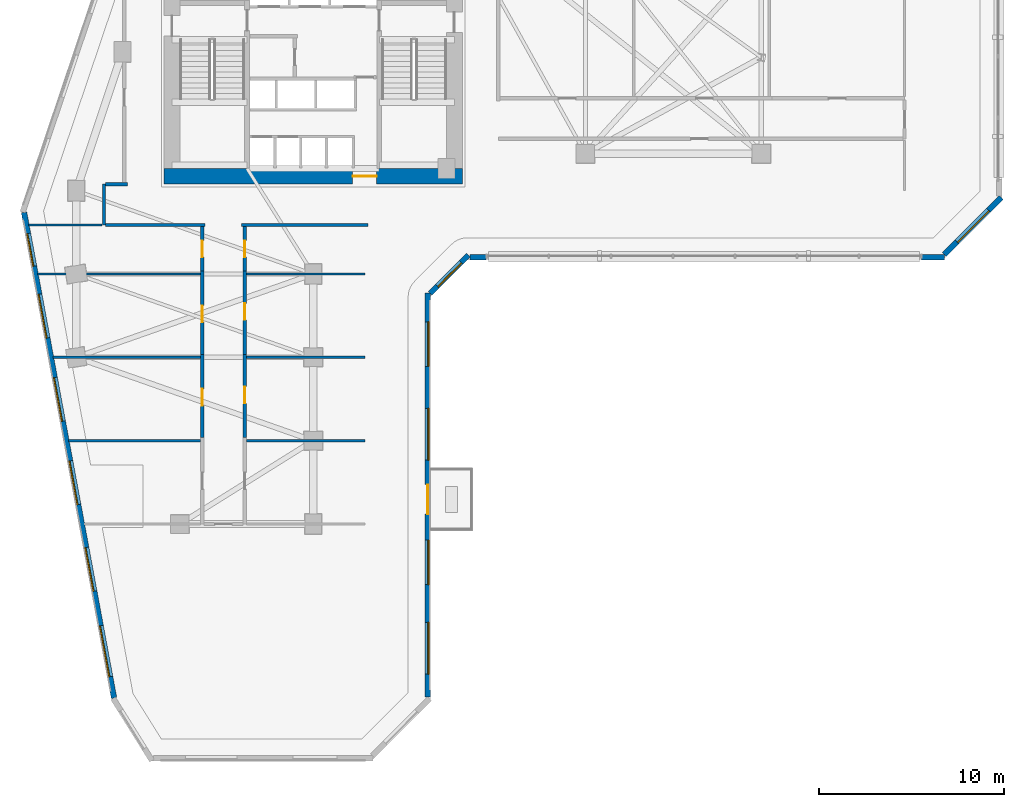
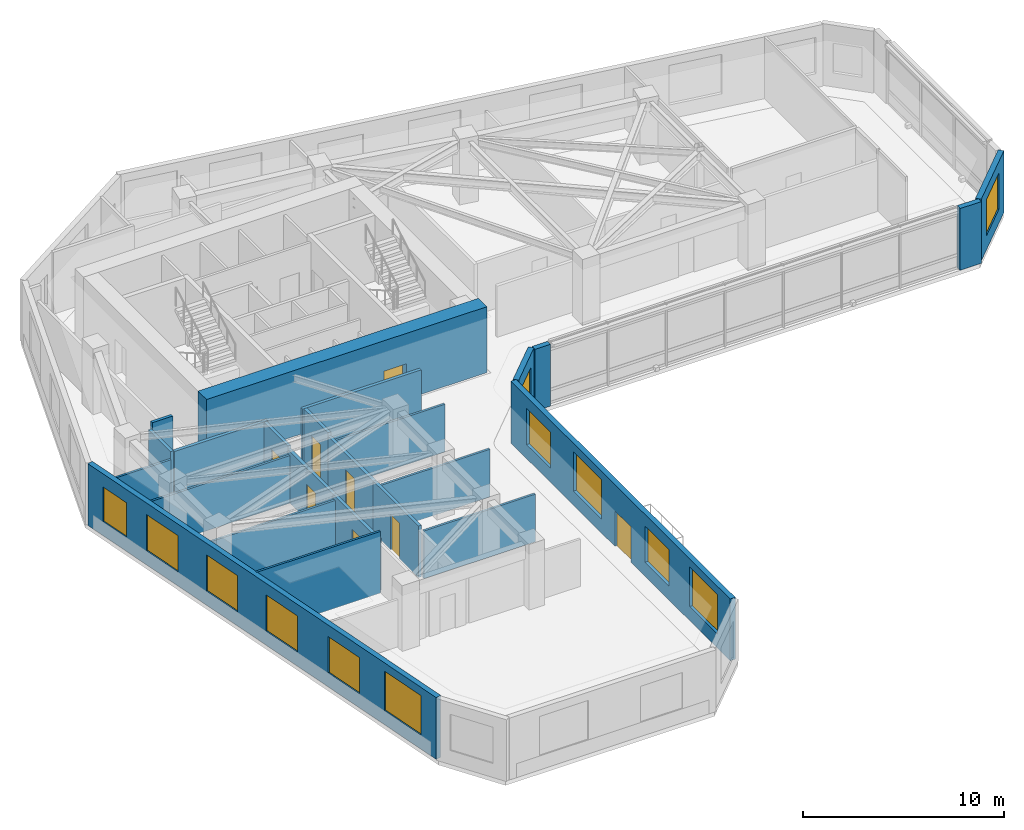
# One storey, part 6 of 12: 24 walls, 12 windows, 8 doors, 20 openings.
"""IFC4 building model written with IfcOpenShell, lengths in metres."""

from ifc_helpers import new_model, si_unit, direction, frame, frame_2d, origin, place, context, subcontext, project, spatial, rectangle, extrude, source, transform, mapped, material, layer, layer_set, type_object, element, fill, save


model = new_model("IFC4")

# Units and contexts
model_context = context("Model", 3, precision=1e-05, world=origin(), true_north=direction((0.0, 1.0)))
body_context = subcontext(model_context, "Body", "Model", "MODEL_VIEW")
ifc_project = project(units=[si_unit("LENGTHUNIT", "METRE"), si_unit("AREAUNIT", "SQUARE_METRE"), si_unit("VOLUMEUNIT", "CUBIC_METRE"), si_unit("PLANEANGLEUNIT", "RADIAN"), si_unit("MASSUNIT", "GRAM", prefix="KILO")], contexts=[model_context])

# Site, building, storey
site_placement = place(None, origin())
site = spatial("IfcSite", under=ifc_project, at=site_placement, CompositionType="ELEMENT")
building_placement = place(site_placement, origin())
building = spatial("IfcBuilding", under=site, at=building_placement, Name="Calvemar Wedge Station Tower", CompositionType="ELEMENT")
storey_placement = place(building_placement, frame((0.0, 0.0, 51.0)))
storey = spatial("IfcBuildingStorey", under=building, at=storey_placement, Name="L12", CompositionType="ELEMENT", Elevation=51.0)

# Wall, opening, door
ifc_material_1 = material(Name="Concrete C80", Category="concrete")
ifc_layer_1 = layer(ifc_material_1, 0.85009765625)
ifc_layer_set_1 = layer_set([ifc_layer_1], Name="Concrete C80")
wall_type_1 = type_object("IfcWallType", Name="SW-CORE-850", PredefinedType="SHEAR", material=ifc_layer_set_1)
wall_1_placement = place(storey_placement, frame((15.75, 33.77490234375, 0.0), z_axis=(0.0, 0.0, 1.0), x_axis=(1.0, 0.0, 0.0)))
wall_1 = element("IfcWall", 1, at=wall_1_placement, inside=storey, type_object=wall_type_1, Name="Storey L12 Core Shear Wall S", PredefinedType="SHEAR", context=body_context, shape_type="SweptSolid", body=[
    extrude(rectangle(XDim=16.10009765625, YDim=0.85009765625, at=frame_2d((8.050048828125, 0.0))), origin(), (0.0, 0.0, 1.0), 4.0),
])
shared_shape_1 = source(origin(), body_context, "Body", "SweptSolid", [
    extrude(rectangle(XDim=1.300048828125, YDim=2.14990234375, at=frame_2d((0.64990234375, 1.074951171875))), frame((0.0, 0.43505859375, 0.0), z_axis=(0.0, -1.0, 0.0), x_axis=(1.0, 0.0, 0.0)), (0.0, 0.0, 1.0), 0.8701171875),
])
opening_1_placement = place(wall_1_placement, frame((10.179931640625, 0.0, 0.0)))
opening_1 = element("IfcOpeningElement", 2, at=opening_1_placement, cuts=wall_1, Name="Opening DD-130", PredefinedType="OPENING", context=body_context, shape_type="MappedRepresentation", body=[
    mapped(shared_shape_1, transform((0.0, 0.0, 0.0), scale=1.0)),
])
ifc_material_2 = material(Name="Double-leaf lift lobby fire door EI 60")
door_type_1 = type_object("IfcDoorType", Name="DR-DBL-1300", OperationType="DOUBLE_DOOR_SINGLE_SWING", PredefinedType="DOOR", material=ifc_material_2)
shared_shape_2 = source(origin(), body_context, "Body", "SweptSolid", [
    extrude(rectangle(XDim=1.300048828125, YDim=2.14990234375, at=frame_2d((0.64990234375, 1.074951171875))), frame((0.0, 0.02490234375, 0.0), z_axis=(0.0, -1.0, 0.0), x_axis=(1.0, 0.0, 0.0)), (0.0, 0.0, 1.0), 0.050048828125),
])
door_1_placement = place(opening_1_placement, origin())
door_1 = element("IfcDoor", 3, at=door_1_placement, inside=storey, type_object=door_type_1, Name="L12 Passenger Lift Lobby Door", OperationType="DOUBLE_DOOR_SINGLE_SWING", OverallHeight=2.14990234375, OverallWidth=1.300048828125, PredefinedType="DOOR", context=body_context, shape_type="MappedRepresentation", body=[
    mapped(shared_shape_2, transform((0.0, 0.0, 0.0), scale=1.0)),
])
fill(opening_1, door_1)

# Walls
ifc_material_3 = material(Name="Double-stud fire-rated corridor partition")
ifc_layer_2 = layer(ifc_material_3, 0.179931640625)
ifc_layer_set_2 = layer_set([ifc_layer_2], Name="Double-stud fire-rated corridor partition")
wall_type_2 = type_object("IfcWallType", Name="W-CORR-180", PredefinedType="PARTITIONING", material=ifc_layer_set_2)
wall_2_placement = place(storey_placement, frame((12.5, 31.14990234375, 0.0), z_axis=(0.0, 0.0, 1.0), x_axis=(0.0, 1.0, 0.0)))
element("IfcWall", 4, at=wall_2_placement, inside=storey, type_object=wall_type_2, Name="Storey L12 Interior Partition WL-L12-004", PredefinedType="PARTITIONING", context=body_context, shape_type="SweptSolid", body=[
    extrude(rectangle(XDim=2.2001953125, YDim=0.179931640625, at=frame_2d((1.10009765625, 0.0))), origin(), (0.0, 0.0, 1.0), 3.3349609375),
])
wall_3_placement = place(storey_placement, frame((12.593994140625, 33.35009765625, 0.0), z_axis=(0.0, 0.0, 1.0), x_axis=(1.0, 0.0, 0.0)))
element("IfcWall", 5, at=wall_3_placement, inside=storey, type_object=wall_type_2, Name="Storey L12 Interior Partition WL-L12-005", PredefinedType="PARTITIONING", context=body_context, shape_type="SweptSolid", body=[
    extrude(rectangle(XDim=1.166015625, YDim=0.179931640625, at=frame_2d((0.5830078125, 0.0))), origin(), (0.0, 0.0, 1.0), 3.75),
])
wall_4_placement = place(storey_placement, frame((17.9599609375, 31.14990234375, 0.0), z_axis=(0.0, 0.0, 1.0), x_axis=(-1.0, 0.0, 0.0)))
element("IfcWall", 6, at=wall_4_placement, inside=storey, type_object=wall_type_2, Name="Storey L12 Interior Partition WL-L12-006", PredefinedType="PARTITIONING", context=body_context, shape_type="SweptSolid", body=[
    extrude(rectangle(XDim=5.365966796875, YDim=0.179931640625, at=frame_2d((2.68310546875, 0.0))), origin(), (0.0, 0.0, 1.0), 3.3349609375),
])
wall_5_placement = place(storey_placement, frame((26.760009765625, 31.14990234375, 0.0), z_axis=(0.0, 0.0, 1.0), x_axis=(-1.0, 0.0, 0.0)))
element("IfcWall", 7, at=wall_5_placement, inside=storey, type_object=wall_type_2, Name="Storey L12 Interior Partition WL-L12-007", PredefinedType="PARTITIONING", context=body_context, shape_type="SweptSolid", body=[
    extrude(rectangle(XDim=6.820068359375, YDim=0.179931640625, at=frame_2d((3.41015625, 0.0))), origin(), (0.0, 0.0, 1.0), 3.3349609375),
])

# Wall, opening, door
wall_6_placement = place(storey_placement, frame((17.800048828125, 19.662109375, 0.0), z_axis=(0.0, 0.0, 1.0), x_axis=(0.0, 1.0, 0.0)))
wall_6 = element("IfcWall", 8, at=wall_6_placement, inside=storey, type_object=wall_type_2, Name="Storey L12 Interior Partition WL-L12-029", PredefinedType="PARTITIONING", context=body_context, shape_type="SweptSolid", body=[
    extrude(rectangle(XDim=4.497802734375, YDim=0.179931640625, at=frame_2d((2.2490234375, 0.0))), origin(), (0.0, 0.0, 1.0), 3.125),
])
shared_shape_3 = source(origin(), body_context, "Body", "SweptSolid", [
    extrude(rectangle(XDim=0.89990234375, YDim=2.14990234375, at=frame_2d((0.449951171875, 1.074951171875))), frame((0.0, 0.10009765625, 0.0), z_axis=(0.0, -1.0, 0.0), x_axis=(1.0, 0.0, 0.0)), (0.0, 0.0, 1.0), 0.199951171875),
])
opening_2_placement = place(wall_6_placement, frame((1.73828125, 0.0, 0.0)))
opening_2 = element("IfcOpeningElement", 9, at=opening_2_placement, cuts=wall_6, Name="Opening D-01", PredefinedType="OPENING", context=body_context, shape_type="MappedRepresentation", body=[
    mapped(shared_shape_3, transform((0.0, 0.0, 0.0), scale=1.0)),
])
ifc_material_4 = material(Name="Architectural hardwood acoustic swing door", Category="wood")
door_type_2 = type_object("IfcDoorType", Name="DR-INT-900", OperationType="NOTDEFINED", PredefinedType="DOOR", material=ifc_material_4)
shared_shape_4 = source(origin(), body_context, "Body", "SweptSolid", [
    extrude(rectangle(XDim=0.89990234375, YDim=2.14990234375, at=frame_2d((0.449951171875, 1.074951171875))), frame((0.0, 0.02490234375, 0.0), z_axis=(0.0, -1.0, 0.0), x_axis=(1.0, 0.0, 0.0)), (0.0, 0.0, 1.0), 0.050048828125),
])
door_2_placement = place(opening_2_placement, origin())
door_2 = element("IfcDoor", 10, at=door_2_placement, inside=storey, type_object=door_type_2, Name="L12 Office Door", OperationType="SINGLE_SWING_RIGHT", OverallHeight=2.14990234375, OverallWidth=0.89990234375, PredefinedType="DOOR", context=body_context, shape_type="MappedRepresentation", body=[
    mapped(shared_shape_4, transform((0.0, 0.0, 0.0), scale=1.0)),
])
fill(opening_2, door_2)

wall_7_placement = place(storey_placement, frame((20.10009765625, 24.159912109375, 0.0), z_axis=(0.0, 0.0, 1.0), x_axis=(0.0, -1.0, 0.0)))
wall_7 = element("IfcWall", 11, at=wall_7_placement, inside=storey, type_object=wall_type_2, Name="Storey L12 Interior Partition WL-L12-030", PredefinedType="PARTITIONING", context=body_context, shape_type="SweptSolid", body=[
    extrude(rectangle(XDim=4.497802734375, YDim=0.179931640625, at=frame_2d((2.2490234375, 0.0))), origin(), (0.0, 0.0, 1.0), 3.125),
])
opening_3_placement = place(wall_7_placement, frame((1.73828125, 0.0, 0.0)))
opening_3 = element("IfcOpeningElement", 12, at=opening_3_placement, cuts=wall_7, Name="Opening D-01", PredefinedType="OPENING", context=body_context, shape_type="MappedRepresentation", body=[
    mapped(shared_shape_3, transform((0.0, 0.0, 0.0), scale=1.0)),
])
door_3_placement = place(opening_3_placement, origin())
door_3 = element("IfcDoor", 13, at=door_3_placement, inside=storey, type_object=door_type_2, Name="L12 Office Door", OperationType="SINGLE_SWING_LEFT", OverallHeight=2.14990234375, OverallWidth=0.89990234375, PredefinedType="DOOR", context=body_context, shape_type="MappedRepresentation", body=[
    mapped(shared_shape_4, transform((0.0, 0.0, 0.0), scale=1.0)),
])
fill(opening_3, door_3)

wall_8_placement = place(storey_placement, frame((17.800048828125, 24.162109375, 0.0), z_axis=(0.0, 0.0, 1.0), x_axis=(0.0, 1.0, 0.0)))
wall_8 = element("IfcWall", 14, at=wall_8_placement, inside=storey, type_object=wall_type_2, Name="Storey L12 Interior Partition WL-L12-031", PredefinedType="PARTITIONING", context=body_context, shape_type="SweptSolid", body=[
    extrude(rectangle(XDim=4.497802734375, YDim=0.179931640625, at=frame_2d((2.2490234375, 0.0))), origin(), (0.0, 0.0, 1.0), 3.125),
])
opening_4_placement = place(wall_8_placement, frame((1.73828125, 0.0, 0.0)))
opening_4 = element("IfcOpeningElement", 15, at=opening_4_placement, cuts=wall_8, Name="Opening D-01", PredefinedType="OPENING", context=body_context, shape_type="MappedRepresentation", body=[
    mapped(shared_shape_3, transform((0.0, 0.0, 0.0), scale=1.0)),
])
door_4_placement = place(opening_4_placement, origin())
door_4 = element("IfcDoor", 16, at=door_4_placement, inside=storey, type_object=door_type_2, Name="L12 Office Door", OperationType="SINGLE_SWING_RIGHT", OverallHeight=2.14990234375, OverallWidth=0.89990234375, PredefinedType="DOOR", context=body_context, shape_type="MappedRepresentation", body=[
    mapped(shared_shape_4, transform((0.0, 0.0, 0.0), scale=1.0)),
])
fill(opening_4, door_4)

wall_9_placement = place(storey_placement, frame((20.10009765625, 28.659912109375, 0.0), z_axis=(0.0, 0.0, 1.0), x_axis=(0.0, -1.0, 0.0)))
wall_9 = element("IfcWall", 17, at=wall_9_placement, inside=storey, type_object=wall_type_2, Name="Storey L12 Interior Partition WL-L12-032", PredefinedType="PARTITIONING", context=body_context, shape_type="SweptSolid", body=[
    extrude(rectangle(XDim=4.497802734375, YDim=0.179931640625, at=frame_2d((2.2490234375, 0.0))), origin(), (0.0, 0.0, 1.0), 3.125),
])
opening_5_placement = place(wall_9_placement, frame((1.73828125, 0.0, 0.0)))
opening_5 = element("IfcOpeningElement", 18, at=opening_5_placement, cuts=wall_9, Name="Opening D-01", PredefinedType="OPENING", context=body_context, shape_type="MappedRepresentation", body=[
    mapped(shared_shape_3, transform((0.0, 0.0, 0.0), scale=1.0)),
])
door_5_placement = place(opening_5_placement, origin())
door_5 = element("IfcDoor", 19, at=door_5_placement, inside=storey, type_object=door_type_2, Name="L12 Office Door", OperationType="SINGLE_SWING_LEFT", OverallHeight=2.14990234375, OverallWidth=0.89990234375, PredefinedType="DOOR", context=body_context, shape_type="MappedRepresentation", body=[
    mapped(shared_shape_4, transform((0.0, 0.0, 0.0), scale=1.0)),
])
fill(opening_5, door_5)

wall_10_placement = place(storey_placement, frame((17.800048828125, 28.662109375, 0.0), z_axis=(0.0, 0.0, 1.0), x_axis=(0.0, 1.0, 0.0)))
wall_10 = element("IfcWall", 20, at=wall_10_placement, inside=storey, type_object=wall_type_2, Name="Storey L12 Interior Partition WL-L12-033", PredefinedType="PARTITIONING", context=body_context, shape_type="SweptSolid", body=[
    extrude(rectangle(XDim=2.393798828125, YDim=0.179931640625, at=frame_2d((1.19677734375, 0.0))), origin(), (0.0, 0.0, 1.0), 3.3349609375),
])
opening_6_placement = place(wall_10_placement, frame((0.7470703125, 0.0, 0.0)))
opening_6 = element("IfcOpeningElement", 21, at=opening_6_placement, cuts=wall_10, Name="Opening D-01", PredefinedType="OPENING", context=body_context, shape_type="MappedRepresentation", body=[
    mapped(shared_shape_3, transform((0.0, 0.0, 0.0), scale=1.0)),
])
door_6_placement = place(opening_6_placement, origin())
door_6 = element("IfcDoor", 22, at=door_6_placement, inside=storey, type_object=door_type_2, Name="L12 Office Door", OperationType="SINGLE_SWING_RIGHT", OverallHeight=2.14990234375, OverallWidth=0.89990234375, PredefinedType="DOOR", context=body_context, shape_type="MappedRepresentation", body=[
    mapped(shared_shape_4, transform((0.0, 0.0, 0.0), scale=1.0)),
])
fill(opening_6, door_6)

wall_11_placement = place(storey_placement, frame((20.10009765625, 31.055908203125, 0.0), z_axis=(0.0, 0.0, 1.0), x_axis=(0.0, -1.0, 0.0)))
wall_11 = element("IfcWall", 23, at=wall_11_placement, inside=storey, type_object=wall_type_2, Name="Storey L12 Interior Partition WL-L12-034", PredefinedType="PARTITIONING", context=body_context, shape_type="SweptSolid", body=[
    extrude(rectangle(XDim=2.393798828125, YDim=0.179931640625, at=frame_2d((1.19677734375, 0.0))), origin(), (0.0, 0.0, 1.0), 3.3349609375),
])
opening_7_placement = place(wall_11_placement, frame((0.7470703125, 0.0, 0.0)))
opening_7 = element("IfcOpeningElement", 24, at=opening_7_placement, cuts=wall_11, Name="Opening D-01", PredefinedType="OPENING", context=body_context, shape_type="MappedRepresentation", body=[
    mapped(shared_shape_3, transform((0.0, 0.0, 0.0), scale=1.0)),
])
door_7_placement = place(opening_7_placement, origin())
door_7 = element("IfcDoor", 25, at=door_7_placement, inside=storey, type_object=door_type_2, Name="L12 Office Door", OperationType="SINGLE_SWING_LEFT", OverallHeight=2.14990234375, OverallWidth=0.89990234375, PredefinedType="DOOR", context=body_context, shape_type="MappedRepresentation", body=[
    mapped(shared_shape_4, transform((0.0, 0.0, 0.0), scale=1.0)),
])
fill(opening_7, door_7)

# Wall, openings, windows, door
ifc_material_5 = material(Name="Precast concrete C45", Category="concrete")
ifc_layer_3 = layer(ifc_material_5, 0.300048828125)
ifc_layer_set_3 = layer_set([ifc_layer_3], Name="Precast concrete C45")
wall_type_3 = type_object("IfcWallType", Name="W-EXT-GFRC-300", PredefinedType="SOLIDWALL", material=ifc_layer_set_3)
wall_12_placement = place(storey_placement, frame((29.97802734375, 5.6572265625, 0.0), z_axis=(0.0, 0.0, 1.0), x_axis=(0.0, 1.0, 0.0)))
wall_12 = element("IfcWall", 26, at=wall_12_placement, inside=storey, type_object=wall_type_3, Name="Storey L12 Bronze GFRC Exterior Wall 4", PredefinedType="SOLIDWALL", context=body_context, shape_type="SweptSolid", body=[
    extrude(rectangle(XDim=21.81494140625, YDim=0.300048828125, at=frame_2d((10.907470703125, 0.0))), origin(), (0.0, 0.0, 1.0), 3.75),
])
shared_shape_5 = source(origin(), body_context, "Body", "SweptSolid", [
    extrude(rectangle(XDim=1.60009765625, YDim=2.14990234375, at=frame_2d((0.800048828125, 1.074951171875))), frame((0.0, 0.16015625, 0.0), z_axis=(0.0, -1.0, 0.0), x_axis=(1.0, 0.0, 0.0)), (0.0, 0.0, 1.0), 0.320068359375),
])
opening_8_placement = place(wall_12_placement, frame((9.873046875, 0.0, 0.0)))
opening_8 = element("IfcOpeningElement", 27, at=opening_8_placement, cuts=wall_12, Name="Opening DT1", PredefinedType="OPENING", context=body_context, shape_type="MappedRepresentation", body=[
    mapped(shared_shape_5, transform((0.0, 0.0, 0.0), scale=1.0)),
])
shared_shape_6 = source(origin(), body_context, "Body", "SweptSolid", [
    extrude(rectangle(XDim=2.800048828125, YDim=2.39990234375, at=frame_2d((1.39990234375, 1.199951171875))), frame((0.0, 0.16015625, 0.0), z_axis=(0.0, -1.0, 0.0), x_axis=(1.0, 0.0, 0.0)), (0.0, 0.0, 1.0), 0.320068359375),
])
opening_9_placement = place(wall_12_placement, frame((1.238037109375, 0.0, 0.85009765625)))
opening_9 = element("IfcOpeningElement", 28, at=opening_9_placement, cuts=wall_12, Name="Opening W6", PredefinedType="OPENING", context=body_context, shape_type="MappedRepresentation", body=[
    mapped(shared_shape_6, transform((0.0, 0.0, 0.0), scale=1.0)),
])
shared_shape_7 = source(origin(), body_context, "Body", "SweptSolid", [
    extrude(rectangle(XDim=2.39990234375, YDim=2.199951171875, at=frame_2d((1.199951171875, 1.10009765625))), frame((0.0, 0.16015625, 0.0), z_axis=(0.0, -1.0, 0.0), x_axis=(1.0, 0.0, 0.0)), (0.0, 0.0, 1.0), 0.320068359375),
])
opening_10_placement = place(wall_12_placement, frame((6.074951171875, 0.0, 0.85009765625)))
opening_10 = element("IfcOpeningElement", 29, at=opening_10_placement, cuts=wall_12, Name="Opening W1", PredefinedType="OPENING", context=body_context, shape_type="MappedRepresentation", body=[
    mapped(shared_shape_7, transform((0.0, 0.0, 0.0), scale=1.0)),
])
opening_11_placement = place(wall_12_placement, frame((12.7880859375, 0.0, 0.85009765625)))
opening_11 = element("IfcOpeningElement", 30, at=opening_11_placement, cuts=wall_12, Name="Opening W6", PredefinedType="OPENING", context=body_context, shape_type="MappedRepresentation", body=[
    mapped(shared_shape_6, transform((0.0, 0.0, 0.0), scale=1.0)),
])
opening_12_placement = place(wall_12_placement, frame((17.85888671875, 0.0, 0.85009765625)))
opening_12 = element("IfcOpeningElement", 31, at=opening_12_placement, cuts=wall_12, Name="Opening W1", PredefinedType="OPENING", context=body_context, shape_type="MappedRepresentation", body=[
    mapped(shared_shape_7, transform((0.0, 0.0, 0.0), scale=1.0)),
])
ifc_material_6 = material(Name="Low-E laminated insulated glass", Category="glass")
window_type_1 = type_object("IfcWindowType", Name="WIN-EXT-6", PartitioningType="SINGLE_PANEL", PredefinedType="WINDOW", material=ifc_material_6)
shared_shape_8 = source(origin(), body_context, "Body", "SweptSolid", [
    extrude(rectangle(XDim=2.800048828125, YDim=2.39990234375, at=frame_2d((1.39990234375, 1.199951171875))), frame((0.0, -0.014892578125, 0.0), z_axis=(0.0, -1.0, 0.0), x_axis=(1.0, 0.0, 0.0)), (0.0, 0.0, 1.0), 0.06005859375),
])
window_1_placement = place(opening_9_placement, origin())
window_1 = element("IfcWindow", 32, at=window_1_placement, inside=storey, type_object=window_type_1, Name="Storey L12 Recessed Window 4.1", OverallHeight=2.39990234375, OverallWidth=2.800048828125, PartitioningType="SINGLE_PANEL", PredefinedType="WINDOW", context=body_context, shape_type="MappedRepresentation", body=[
    mapped(shared_shape_8, transform((0.0, 0.0, 0.0), scale=1.0)),
])
fill(opening_9, window_1)
window_2_placement = place(opening_11_placement, origin())
window_2 = element("IfcWindow", 33, at=window_2_placement, inside=storey, type_object=window_type_1, Name="Storey L12 Recessed Window 4.3", OverallHeight=2.39990234375, OverallWidth=2.800048828125, PartitioningType="SINGLE_PANEL", PredefinedType="WINDOW", context=body_context, shape_type="MappedRepresentation", body=[
    mapped(shared_shape_8, transform((0.0, 0.0, 0.0), scale=1.0)),
])
fill(opening_11, window_2)
window_type_2 = type_object("IfcWindowType", Name="WIN-EXT-1", PartitioningType="SINGLE_PANEL", PredefinedType="WINDOW", material=ifc_material_6)
shared_shape_9 = source(origin(), body_context, "Body", "SweptSolid", [
    extrude(rectangle(XDim=2.39990234375, YDim=2.199951171875, at=frame_2d((1.199951171875, 1.10009765625))), frame((0.0, -0.014892578125, 0.0), z_axis=(0.0, -1.0, 0.0), x_axis=(1.0, 0.0, 0.0)), (0.0, 0.0, 1.0), 0.06005859375),
])
window_3_placement = place(opening_10_placement, origin())
window_3 = element("IfcWindow", 34, at=window_3_placement, inside=storey, type_object=window_type_2, Name="Storey L12 Recessed Window 4.2", OverallHeight=2.199951171875, OverallWidth=2.39990234375, PartitioningType="SINGLE_PANEL", PredefinedType="WINDOW", context=body_context, shape_type="MappedRepresentation", body=[
    mapped(shared_shape_9, transform((0.0, 0.0, 0.0), scale=1.0)),
])
fill(opening_10, window_3)
window_4_placement = place(opening_12_placement, origin())
window_4 = element("IfcWindow", 35, at=window_4_placement, inside=storey, type_object=window_type_2, Name="Storey L12 Recessed Window 4.4", OverallHeight=2.199951171875, OverallWidth=2.39990234375, PartitioningType="SINGLE_PANEL", PredefinedType="WINDOW", context=body_context, shape_type="MappedRepresentation", body=[
    mapped(shared_shape_9, transform((0.0, 0.0, 0.0), scale=1.0)),
])
fill(opening_12, window_4)
ifc_material_7 = material(Name="Anodised aluminium 6063-T6", Category="aluminium")
door_type_3 = type_object("IfcDoorType", Name="DR-TERR-1600", OperationType="DOUBLE_DOOR_SLIDING", PredefinedType="DOOR", material=ifc_material_7)
shared_shape_10 = source(origin(), body_context, "Body", "SweptSolid", [
    extrude(rectangle(XDim=1.60009765625, YDim=2.14990234375, at=frame_2d((0.800048828125, 1.074951171875))), frame((0.0, 0.02490234375, 0.0), z_axis=(0.0, -1.0, 0.0), x_axis=(1.0, 0.0, 0.0)), (0.0, 0.0, 1.0), 0.050048828125),
])
door_8_placement = place(opening_8_placement, origin())
door_8 = element("IfcDoor", 36, at=door_8_placement, inside=storey, type_object=door_type_3, Name="Storey L12 Spiral Terrace Door", OperationType="DOUBLE_DOOR_SLIDING", OverallHeight=2.14990234375, OverallWidth=1.60009765625, PredefinedType="DOOR", context=body_context, shape_type="MappedRepresentation", body=[
    mapped(shared_shape_10, transform((0.0, 0.0, 0.0), scale=1.0)),
])
fill(opening_8, door_8)

# Wall, opening, window
wall_13_placement = place(storey_placement, frame((30.115966796875, 27.460205078125, 0.0), z_axis=(0.0, 0.0, 1.0), x_axis=(0.707106781187, 0.707106781187, 0.0)))
wall_13 = element("IfcWall", 37, at=wall_13_placement, inside=storey, type_object=wall_type_3, Name="Storey L12 Bronze GFRC Exterior Wall 5", PredefinedType="SOLIDWALL", context=body_context, shape_type="SweptSolid", body=[
    extrude(rectangle(XDim=2.907470703125, YDim=0.300048828125, at=frame_2d((1.45361328125, 0.0))), origin(), (0.0, 0.0, 1.0), 3.75),
])
shared_shape_11 = source(origin(), body_context, "Body", "SweptSolid", [
    extrude(rectangle(XDim=1.800048828125, YDim=2.10009765625, at=frame_2d((0.89990234375, 1.050048828125))), frame((0.0, 0.16015625, 0.0), z_axis=(0.0, -1.0, 0.0), x_axis=(1.0, 0.0, 0.0)), (0.0, 0.0, 1.0), 0.320068359375),
])
opening_13_placement = place(wall_13_placement, frame((0.553955078125, 0.0, 0.85009765625)))
opening_13 = element("IfcOpeningElement", 38, at=opening_13_placement, cuts=wall_13, Name="Opening W2", PredefinedType="OPENING", context=body_context, shape_type="MappedRepresentation", body=[
    mapped(shared_shape_11, transform((0.0, 0.0, 0.0), scale=1.0)),
])
window_type_3 = type_object("IfcWindowType", Name="WIN-EXT-2", PartitioningType="SINGLE_PANEL", PredefinedType="WINDOW", material=ifc_material_6)
shared_shape_12 = source(origin(), body_context, "Body", "SweptSolid", [
    extrude(rectangle(XDim=1.800048828125, YDim=2.10009765625, at=frame_2d((0.89990234375, 1.050048828125))), frame((0.0, -0.014892578125, 0.0), z_axis=(0.0, -1.0, 0.0), x_axis=(1.0, 0.0, 0.0)), (0.0, 0.0, 1.0), 0.06005859375),
])
window_5_placement = place(opening_13_placement, origin())
window_5 = element("IfcWindow", 39, at=window_5_placement, inside=storey, type_object=window_type_3, Name="Storey L12 Recessed Window 5.1", OverallHeight=2.10009765625, OverallWidth=1.800048828125, PartitioningType="SINGLE_PANEL", PredefinedType="WINDOW", context=body_context, shape_type="MappedRepresentation", body=[
    mapped(shared_shape_12, transform((0.0, 0.0, 0.0), scale=1.0)),
])
fill(opening_13, window_5)

# Walls
wall_14_placement = place(storey_placement, frame((32.260986328125, 29.409912109375, 0.0), z_axis=(0.0, 0.0, 1.0), x_axis=(1.0, 0.0, 0.0)))
element("IfcWall", 40, at=wall_14_placement, inside=storey, type_object=wall_type_3, Name="Storey L12 Bronze GFRC Corner Pier 6A", PredefinedType="SOLIDWALL", context=body_context, shape_type="SweptSolid", body=[
    extrude(rectangle(XDim=0.8798828125, YDim=0.300048828125, at=frame_2d((0.43994140625, 0.0))), origin(), (0.0, 0.0, 1.0), 3.75),
])
wall_15_placement = place(storey_placement, frame((56.662841796875, 29.409912109375, 0.0), z_axis=(0.0, 0.0, 1.0), x_axis=(1.0, 0.0, 0.0)))
element("IfcWall", 41, at=wall_15_placement, inside=storey, type_object=wall_type_3, Name="Storey L12 Bronze GFRC Corner Pier 6B", PredefinedType="SOLIDWALL", context=body_context, shape_type="SweptSolid", body=[
    extrude(rectangle(XDim=1.22509765625, YDim=0.300048828125, at=frame_2d((0.612548828125, 0.0))), origin(), (0.0, 0.0, 1.0), 3.75),
])

# Wall, opening, window
wall_16_placement = place(storey_placement, frame((57.8759765625, 29.548095703125, 0.0), z_axis=(0.0, 0.0, 1.0), x_axis=(0.707106781187, 0.707106781187, 0.0)))
wall_16 = element("IfcWall", 42, at=wall_16_placement, inside=storey, type_object=wall_type_3, Name="Storey L12 Bronze GFRC Exterior Wall 7", PredefinedType="SOLIDWALL", context=body_context, shape_type="SweptSolid", body=[
    extrude(rectangle(XDim=4.35595703125, YDim=0.300048828125, at=frame_2d((2.177978515625, 0.0))), origin(), (0.0, 0.0, 1.0), 3.75),
])
opening_14_placement = place(wall_16_placement, frame((0.97802734375, 0.0, 0.85009765625)))
opening_14 = element("IfcOpeningElement", 43, at=opening_14_placement, cuts=wall_16, Name="Opening W1", PredefinedType="OPENING", context=body_context, shape_type="MappedRepresentation", body=[
    mapped(shared_shape_7, transform((0.0, 0.0, 0.0), scale=1.0)),
])
window_6_placement = place(opening_14_placement, origin())
window_6 = element("IfcWindow", 44, at=window_6_placement, inside=storey, type_object=window_type_2, Name="Storey L12 Recessed Window 7.1", OverallHeight=2.199951171875, OverallWidth=2.39990234375, PartitioningType="SINGLE_PANEL", PredefinedType="WINDOW", context=body_context, shape_type="MappedRepresentation", body=[
    mapped(shared_shape_9, transform((0.0, 0.0, 0.0), scale=1.0)),
])
fill(opening_14, window_6)

# Wall, openings, windows
wall_17_placement = place(storey_placement, frame((8.183349609375, 31.83349609375, 0.0), z_axis=(0.0, 0.0, 1.0), x_axis=(0.18216364648, -0.983268226834, 0.0)))
wall_17 = element("IfcWall", 45, at=wall_17_placement, inside=storey, type_object=wall_type_3, Name="Storey L12 Bronze GFRC Exterior Wall 13", PredefinedType="SOLIDWALL", context=body_context, shape_type="SweptSolid", body=[
    extrude(rectangle(XDim=26.678466796875, YDim=0.300048828125, at=frame_2d((13.33935546875, 0.0))), origin(), (0.0, 0.0, 1.0), 3.75),
])
opening_15_placement = place(wall_17_placement, frame((1.1640625, 0.0, 0.85009765625)))
opening_15 = element("IfcOpeningElement", 46, at=opening_15_placement, cuts=wall_17, Name="Opening W2", PredefinedType="OPENING", context=body_context, shape_type="MappedRepresentation", body=[
    mapped(shared_shape_11, transform((0.0, 0.0, 0.0), scale=1.0)),
])
opening_16_placement = place(wall_17_placement, frame((4.5, 0.0, 0.85009765625)))
opening_16 = element("IfcOpeningElement", 47, at=opening_16_placement, cuts=wall_17, Name="Opening W1", PredefinedType="OPENING", context=body_context, shape_type="MappedRepresentation", body=[
    mapped(shared_shape_7, transform((0.0, 0.0, 0.0), scale=1.0)),
])
opening_17_placement = place(wall_17_placement, frame((9.075927734375, 0.0, 0.85009765625)))
opening_17 = element("IfcOpeningElement", 48, at=opening_17_placement, cuts=wall_17, Name="Opening W1", PredefinedType="OPENING", context=body_context, shape_type="MappedRepresentation", body=[
    mapped(shared_shape_7, transform((0.0, 0.0, 0.0), scale=1.0)),
])
opening_18_placement = place(wall_17_placement, frame((13.653076171875, 0.0, 0.85009765625)))
opening_18 = element("IfcOpeningElement", 49, at=opening_18_placement, cuts=wall_17, Name="Opening W1", PredefinedType="OPENING", context=body_context, shape_type="MappedRepresentation", body=[
    mapped(shared_shape_7, transform((0.0, 0.0, 0.0), scale=1.0)),
])
opening_19_placement = place(wall_17_placement, frame((18.410888671875, 0.0, 0.85009765625)))
opening_19 = element("IfcOpeningElement", 50, at=opening_19_placement, cuts=wall_17, Name="Opening W1", PredefinedType="OPENING", context=body_context, shape_type="MappedRepresentation", body=[
    mapped(shared_shape_7, transform((0.0, 0.0, 0.0), scale=1.0)),
])
opening_20_placement = place(wall_17_placement, frame((22.708984375, 0.0, 0.85009765625)))
opening_20 = element("IfcOpeningElement", 51, at=opening_20_placement, cuts=wall_17, Name="Opening W6", PredefinedType="OPENING", context=body_context, shape_type="MappedRepresentation", body=[
    mapped(shared_shape_6, transform((0.0, 0.0, 0.0), scale=1.0)),
])
window_7_placement = place(opening_15_placement, origin())
window_7 = element("IfcWindow", 52, at=window_7_placement, inside=storey, type_object=window_type_3, Name="Storey L12 Recessed Window 13.1", OverallHeight=2.10009765625, OverallWidth=1.800048828125, PartitioningType="SINGLE_PANEL", PredefinedType="WINDOW", context=body_context, shape_type="MappedRepresentation", body=[
    mapped(shared_shape_12, transform((0.0, 0.0, 0.0), scale=1.0)),
])
fill(opening_15, window_7)
window_8_placement = place(opening_20_placement, origin())
window_8 = element("IfcWindow", 53, at=window_8_placement, inside=storey, type_object=window_type_1, Name="Storey L12 Recessed Window 13.6", OverallHeight=2.39990234375, OverallWidth=2.800048828125, PartitioningType="SINGLE_PANEL", PredefinedType="WINDOW", context=body_context, shape_type="MappedRepresentation", body=[
    mapped(shared_shape_8, transform((0.0, 0.0, 0.0), scale=1.0)),
])
fill(opening_20, window_8)
window_9_placement = place(opening_16_placement, origin())
window_9 = element("IfcWindow", 54, at=window_9_placement, inside=storey, type_object=window_type_2, Name="Storey L12 Recessed Window 13.2", OverallHeight=2.199951171875, OverallWidth=2.39990234375, PartitioningType="SINGLE_PANEL", PredefinedType="WINDOW", context=body_context, shape_type="MappedRepresentation", body=[
    mapped(shared_shape_9, transform((0.0, 0.0, 0.0), scale=1.0)),
])
fill(opening_16, window_9)
window_10_placement = place(opening_17_placement, origin())
window_10 = element("IfcWindow", 55, at=window_10_placement, inside=storey, type_object=window_type_2, Name="Storey L12 Recessed Window 13.3", OverallHeight=2.199951171875, OverallWidth=2.39990234375, PartitioningType="SINGLE_PANEL", PredefinedType="WINDOW", context=body_context, shape_type="MappedRepresentation", body=[
    mapped(shared_shape_9, transform((0.0, 0.0, 0.0), scale=1.0)),
])
fill(opening_17, window_10)
window_11_placement = place(opening_18_placement, origin())
window_11 = element("IfcWindow", 56, at=window_11_placement, inside=storey, type_object=window_type_2, Name="Storey L12 Recessed Window 13.4", OverallHeight=2.199951171875, OverallWidth=2.39990234375, PartitioningType="SINGLE_PANEL", PredefinedType="WINDOW", context=body_context, shape_type="MappedRepresentation", body=[
    mapped(shared_shape_9, transform((0.0, 0.0, 0.0), scale=1.0)),
])
fill(opening_18, window_11)
window_12_placement = place(opening_19_placement, origin())
window_12 = element("IfcWindow", 57, at=window_12_placement, inside=storey, type_object=window_type_2, Name="Storey L12 Recessed Window 13.5", OverallHeight=2.199951171875, OverallWidth=2.39990234375, PartitioningType="SINGLE_PANEL", PredefinedType="WINDOW", context=body_context, shape_type="MappedRepresentation", body=[
    mapped(shared_shape_9, transform((0.0, 0.0, 0.0), scale=1.0)),
])
fill(opening_19, window_12)

# Walls
ifc_material_8 = material(Name="Insulated acoustic gypsum stud partition")
ifc_layer_4 = layer(ifc_material_8, 0.125)
ifc_layer_set_4 = layer_set([ifc_layer_4], Name="Insulated acoustic gypsum stud partition")
wall_type_4 = type_object("IfcWallType", Name="W-PART-125", PredefinedType="PARTITIONING", material=ifc_layer_set_4)
wall_18_placement = place(storey_placement, frame((12.406005859375, 31.14990234375, 0.0), z_axis=(0.0, 0.0, 1.0), x_axis=(-1.0, 0.0, 0.0)))
element("IfcWall", 58, at=wall_18_placement, inside=storey, type_object=wall_type_4, Name="Storey L12 Interior Partition WL-L12-015", PredefinedType="PARTITIONING", context=body_context, shape_type="SweptSolid", body=[
    extrude(rectangle(XDim=3.97900390625, YDim=0.125, at=frame_2d((1.989501953125, 0.0))), origin(), (0.0, 0.0, 1.0), 2.89208984375),
])
wall_19_placement = place(storey_placement, frame((10.585205078125, 19.5, 0.0), z_axis=(0.0, 0.0, 1.0), x_axis=(1.0, 0.0, 0.0)))
element("IfcWall", 59, at=wall_19_placement, inside=storey, type_object=wall_type_4, Name="Storey L12 Interior Partition WL-L12-036", PredefinedType="PARTITIONING", context=body_context, shape_type="SweptSolid", body=[
    extrude(rectangle(XDim=7.120849609375, YDim=0.125, at=frame_2d((3.560546875, 0.0))), origin(), (0.0, 0.0, 1.0), 3.75),
])
wall_20_placement = place(storey_placement, frame((20.194091796875, 19.5, 0.0), z_axis=(0.0, 0.0, 1.0), x_axis=(1.0, 0.0, 0.0)))
element("IfcWall", 60, at=wall_20_placement, inside=storey, type_object=wall_type_4, Name="Storey L12 Interior Partition WL-L12-038", PredefinedType="PARTITIONING", context=body_context, shape_type="SweptSolid", body=[
    extrude(rectangle(XDim=6.406005859375, YDim=0.125, at=frame_2d((3.203125, 0.0))), origin(), (0.0, 0.0, 1.0), 2.89208984375),
])
wall_21_placement = place(storey_placement, frame((9.751708984375, 24.0, 0.0), z_axis=(0.0, 0.0, 1.0), x_axis=(1.0, 0.0, 0.0)))
element("IfcWall", 61, at=wall_21_placement, inside=storey, type_object=wall_type_4, Name="Storey L12 Interior Partition WL-L12-040", PredefinedType="PARTITIONING", context=body_context, shape_type="SweptSolid", body=[
    extrude(rectangle(XDim=7.954345703125, YDim=0.125, at=frame_2d((3.97705078125, 0.0))), origin(), (0.0, 0.0, 1.0), 2.89208984375),
])
wall_22_placement = place(storey_placement, frame((20.194091796875, 24.0, 0.0), z_axis=(0.0, 0.0, 1.0), x_axis=(1.0, 0.0, 0.0)))
element("IfcWall", 62, at=wall_22_placement, inside=storey, type_object=wall_type_4, Name="Storey L12 Interior Partition WL-L12-041", PredefinedType="PARTITIONING", context=body_context, shape_type="SweptSolid", body=[
    extrude(rectangle(XDim=6.406005859375, YDim=0.125, at=frame_2d((3.203125, 0.0))), origin(), (0.0, 0.0, 1.0), 2.89208984375),
])
wall_23_placement = place(storey_placement, frame((8.91796875, 28.5, 0.0), z_axis=(0.0, 0.0, 1.0), x_axis=(1.0, 0.0, 0.0)))
element("IfcWall", 63, at=wall_23_placement, inside=storey, type_object=wall_type_4, Name="Storey L12 Interior Partition WL-L12-042", PredefinedType="PARTITIONING", context=body_context, shape_type="SweptSolid", body=[
    extrude(rectangle(XDim=8.7880859375, YDim=0.125, at=frame_2d((4.39404296875, 0.0))), origin(), (0.0, 0.0, 1.0), 2.89208984375),
])
wall_24_placement = place(storey_placement, frame((20.194091796875, 28.5, 0.0), z_axis=(0.0, 0.0, 1.0), x_axis=(1.0, 0.0, 0.0)))
element("IfcWall", 64, at=wall_24_placement, inside=storey, type_object=wall_type_4, Name="Storey L12 Interior Partition WL-L12-043", PredefinedType="PARTITIONING", context=body_context, shape_type="SweptSolid", body=[
    extrude(rectangle(XDim=6.406005859375, YDim=0.125, at=frame_2d((3.203125, 0.0))), origin(), (0.0, 0.0, 1.0), 2.89208984375),
])

save(model, "model.ifc")
